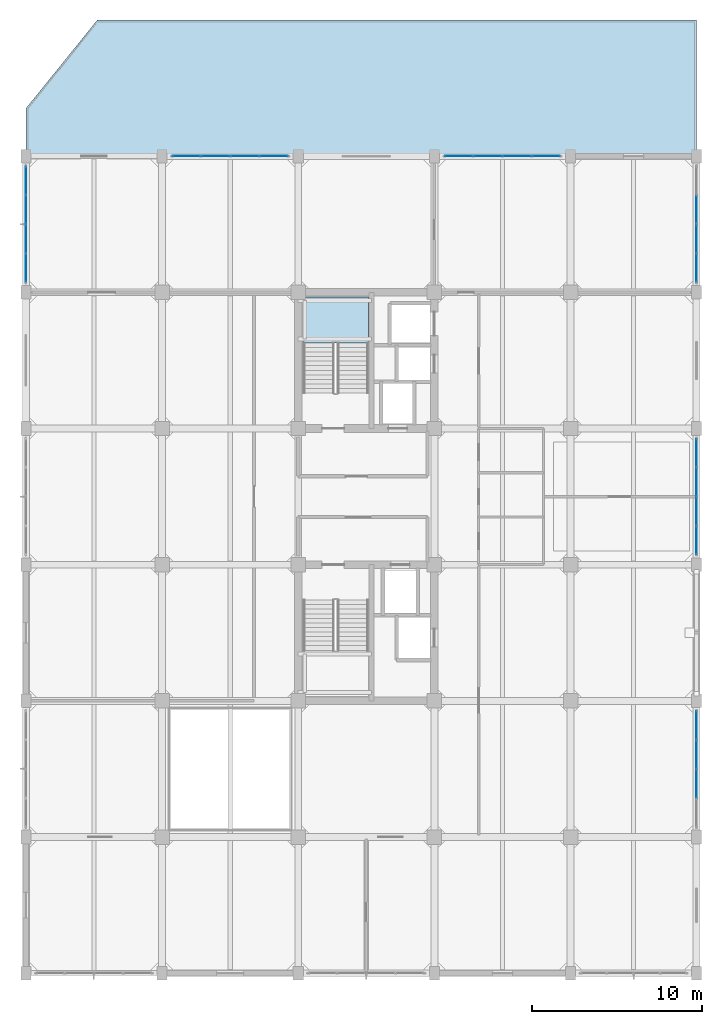
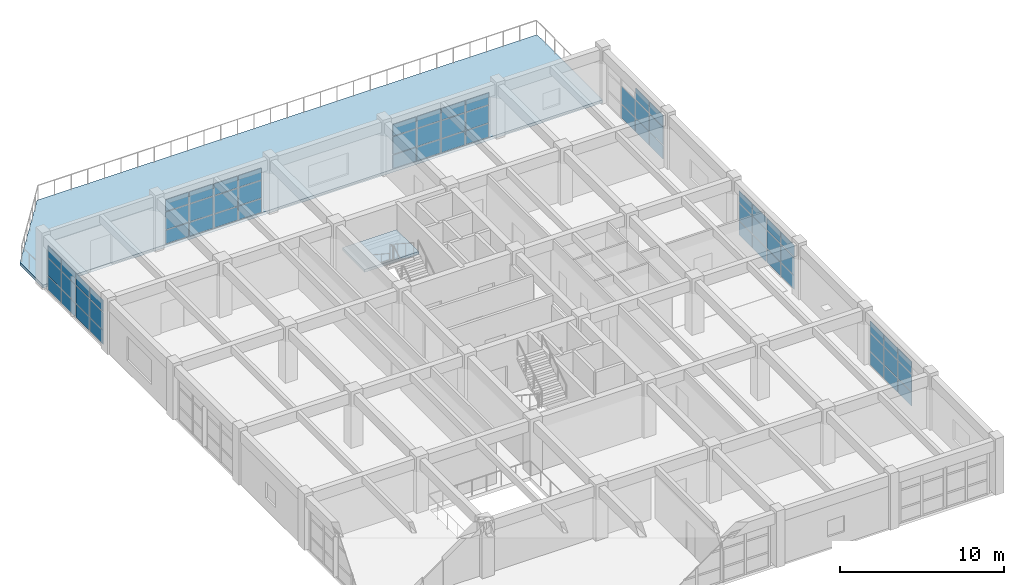
# One storey, part 23 of 30: 65 plates, 2 slabs, 7 elements without a shape of their own.
"""IFC4 building model written with IfcOpenShell, lengths in metres."""

from ifc_helpers import new_model, si_unit, direction, frame, origin, origin_2d, place, context, subcontext, project, spatial, polyline, rectangle, outline, extrude, material, layer, layer_set, type_object, element, aggregate, save


model = new_model("IFC4")

# Units and contexts
model_context = context("Model", 3, precision=1e-05, world=origin(), true_north=direction((0.0, 1.0)))
body_context = subcontext(model_context, "Body", "Model", "MODEL_VIEW")
ifc_project = project(units=[si_unit("LENGTHUNIT", "METRE"), si_unit("AREAUNIT", "SQUARE_METRE"), si_unit("VOLUMEUNIT", "CUBIC_METRE"), si_unit("PLANEANGLEUNIT", "RADIAN"), si_unit("MASSUNIT", "GRAM", prefix="KILO")], contexts=[model_context])

# Site, building, storey
site_placement = place(None, origin())
site = spatial("IfcSite", under=ifc_project, at=site_placement, CompositionType="ELEMENT")
building_placement = place(site_placement, origin())
building = spatial("IfcBuilding", under=site, at=building_placement, Name="Canggui Botanical Conservatory", CompositionType="ELEMENT")
storey_placement = place(building_placement, frame((0.0, 0.0, 19.199951171875)))
storey = spatial("IfcBuildingStorey", under=building, at=storey_placement, Name="L05", CompositionType="ELEMENT", Elevation=19.199951171875)

# Curtain wall, plates
ifc_material_1 = material(Name="Thermally Broken Aluminium", Category="aluminium")
ifc_layer_1 = layer(ifc_material_1, 0.1650390625, Name="Thermally Broken Aluminium", Category="aluminium")
ifc_layer_set_1 = layer_set([ifc_layer_1], Name="Thermally Broken Aluminium")
curtain_wall_type = type_object("IfcCurtainWallType", Name="CW-UNIT-B", PredefinedType="USERDEFINED", material=ifc_layer_set_1)
curtain_wall_1_placement = place(storey_placement, origin())
curtain_wall_1 = element("IfcCurtainWall", 1, at=curtain_wall_1_placement, inside=storey, type_object=curtain_wall_type, Name="Facade Curtain Wall CW-TWR-L05-11", ObjectType="UNITISED CURTAIN WALL", PredefinedType="USERDEFINED")
ifc_material_2 = material(Name="Low-E Insulated Glass", Category="glass")
ifc_layer_2 = layer(ifc_material_2, 0.030029296875, Name="Low-E Insulated Glass", Category="glass")
ifc_layer_set_2 = layer_set([ifc_layer_2], Name="Low-E Insulated Glass")
plate_type = type_object("IfcPlateType", Name="CWP-02", PredefinedType="CURTAIN_PANEL", material=ifc_layer_set_2)
plate_1_placement = place(storey_placement, frame((138.0, 67.436279296875, 0.06005859375), z_axis=(0.0, 0.0, 1.0), x_axis=(0.0, 1.0, 0.0)))
plate_1 = element("IfcPlate", 2, at=plate_1_placement, type_object=plate_type, Name="CW-02 panel 1.1", PredefinedType="CURTAIN_PANEL", context=body_context, shape_type="SweptSolid", body=[
    extrude(rectangle(XDim=1.62255859375, YDim=0.030029296875, at=origin_2d()), origin(), (0.0, 0.0, 1.0), 0.998046875),
])
plate_2_placement = place(storey_placement, frame((138.0, 67.436279296875, 1.1181640625), z_axis=(0.0, 0.0, 1.0), x_axis=(0.0, 1.0, 0.0)))
plate_2 = element("IfcPlate", 3, at=plate_2_placement, type_object=plate_type, Name="CW-02 panel 1.2", PredefinedType="CURTAIN_PANEL", context=body_context, shape_type="SweptSolid", body=[
    extrude(rectangle(XDim=1.62255859375, YDim=0.030029296875, at=origin_2d()), origin(), (0.0, 0.0, 1.0), 1.300048828125),
])
plate_3_placement = place(storey_placement, frame((138.0, 67.436279296875, 2.47802734375), z_axis=(0.0, 0.0, 1.0), x_axis=(0.0, 1.0, 0.0)))
plate_3 = element("IfcPlate", 4, at=plate_3_placement, type_object=plate_type, Name="CW-02 panel 1.3", PredefinedType="CURTAIN_PANEL", context=body_context, shape_type="SweptSolid", body=[
    extrude(rectangle(XDim=1.62255859375, YDim=0.030029296875, at=origin_2d()), origin(), (0.0, 0.0, 1.0), 0.862060546875),
])
plate_4_placement = place(storey_placement, frame((138.0, 69.139892578125, 0.06005859375), z_axis=(0.0, 0.0, 1.0), x_axis=(0.0, 1.0, 0.0)))
plate_4 = element("IfcPlate", 5, at=plate_4_placement, type_object=plate_type, Name="CW-02 panel 2.1", PredefinedType="CURTAIN_PANEL", context=body_context, shape_type="SweptSolid", body=[
    extrude(rectangle(XDim=1.655029296875, YDim=0.030029296875, at=origin_2d()), origin(), (0.0, 0.0, 1.0), 0.998046875),
])
plate_5_placement = place(storey_placement, frame((138.0, 69.139892578125, 1.1181640625), z_axis=(0.0, 0.0, 1.0), x_axis=(0.0, 1.0, 0.0)))
plate_5 = element("IfcPlate", 6, at=plate_5_placement, type_object=plate_type, Name="CW-02 panel 2.2", PredefinedType="CURTAIN_PANEL", context=body_context, shape_type="SweptSolid", body=[
    extrude(rectangle(XDim=1.655029296875, YDim=0.030029296875, at=origin_2d()), origin(), (0.0, 0.0, 1.0), 1.300048828125),
])
plate_6_placement = place(storey_placement, frame((138.0, 69.139892578125, 2.47802734375), z_axis=(0.0, 0.0, 1.0), x_axis=(0.0, 1.0, 0.0)))
plate_6 = element("IfcPlate", 7, at=plate_6_placement, type_object=plate_type, Name="CW-02 panel 2.3", PredefinedType="CURTAIN_PANEL", context=body_context, shape_type="SweptSolid", body=[
    extrude(rectangle(XDim=1.655029296875, YDim=0.030029296875, at=origin_2d()), origin(), (0.0, 0.0, 1.0), 0.862060546875),
])
plate_7_placement = place(storey_placement, frame((138.0, 70.860107421875, 0.06005859375), z_axis=(0.0, 0.0, 1.0), x_axis=(0.0, 1.0, 0.0)))
plate_7 = element("IfcPlate", 8, at=plate_7_placement, type_object=plate_type, Name="CW-02 panel 3.1", PredefinedType="CURTAIN_PANEL", context=body_context, shape_type="SweptSolid", body=[
    extrude(rectangle(XDim=1.655029296875, YDim=0.030029296875, at=origin_2d()), origin(), (0.0, 0.0, 1.0), 0.998046875),
])
plate_8_placement = place(storey_placement, frame((138.0, 70.860107421875, 1.1181640625), z_axis=(0.0, 0.0, 1.0), x_axis=(0.0, 1.0, 0.0)))
plate_8 = element("IfcPlate", 9, at=plate_8_placement, type_object=plate_type, Name="CW-02 panel 3.2", PredefinedType="CURTAIN_PANEL", context=body_context, shape_type="SweptSolid", body=[
    extrude(rectangle(XDim=1.655029296875, YDim=0.030029296875, at=origin_2d()), origin(), (0.0, 0.0, 1.0), 1.300048828125),
])
plate_9_placement = place(storey_placement, frame((138.0, 70.860107421875, 2.47802734375), z_axis=(0.0, 0.0, 1.0), x_axis=(0.0, 1.0, 0.0)))
plate_9 = element("IfcPlate", 10, at=plate_9_placement, type_object=plate_type, Name="CW-02 panel 3.3", PredefinedType="CURTAIN_PANEL", context=body_context, shape_type="SweptSolid", body=[
    extrude(rectangle(XDim=1.655029296875, YDim=0.030029296875, at=origin_2d()), origin(), (0.0, 0.0, 1.0), 0.862060546875),
])
plate_10_placement = place(storey_placement, frame((138.0, 72.563720703125, 0.06005859375), z_axis=(0.0, 0.0, 1.0), x_axis=(0.0, 1.0, 0.0)))
plate_10 = element("IfcPlate", 11, at=plate_10_placement, type_object=plate_type, Name="CW-02 panel 4.1", PredefinedType="CURTAIN_PANEL", context=body_context, shape_type="SweptSolid", body=[
    extrude(rectangle(XDim=1.62255859375, YDim=0.030029296875, at=origin_2d()), origin(), (0.0, 0.0, 1.0), 0.998046875),
])
plate_11_placement = place(storey_placement, frame((138.0, 72.563720703125, 1.1181640625), z_axis=(0.0, 0.0, 1.0), x_axis=(0.0, 1.0, 0.0)))
plate_11 = element("IfcPlate", 12, at=plate_11_placement, type_object=plate_type, Name="CW-02 panel 4.2", PredefinedType="CURTAIN_PANEL", context=body_context, shape_type="SweptSolid", body=[
    extrude(rectangle(XDim=1.62255859375, YDim=0.030029296875, at=origin_2d()), origin(), (0.0, 0.0, 1.0), 1.300048828125),
])
plate_12_placement = place(storey_placement, frame((138.0, 72.563720703125, 2.47802734375), z_axis=(0.0, 0.0, 1.0), x_axis=(0.0, 1.0, 0.0)))
plate_12 = element("IfcPlate", 13, at=plate_12_placement, type_object=plate_type, Name="CW-02 panel 4.3", PredefinedType="CURTAIN_PANEL", context=body_context, shape_type="SweptSolid", body=[
    extrude(rectangle(XDim=1.62255859375, YDim=0.030029296875, at=origin_2d()), origin(), (0.0, 0.0, 1.0), 0.862060546875),
])
aggregate(curtain_wall_1, [plate_1, plate_2, plate_3, plate_4, plate_5, plate_6, plate_7, plate_8, plate_9, plate_10, plate_11, plate_12])

curtain_wall_2_placement = place(storey_placement, origin())
curtain_wall_2 = element("IfcCurtainWall", 14, at=curtain_wall_2_placement, inside=storey, type_object=curtain_wall_type, Name="Facade Curtain Wall CW-TWR-L05-13", ObjectType="UNITISED CURTAIN WALL", PredefinedType="USERDEFINED")
plate_13_placement = place(storey_placement, frame((147.436279296875, 74.0, 0.06005859375), z_axis=(0.0, 0.0, 1.0), x_axis=(1.0, 0.0, 0.0)))
plate_13 = element("IfcPlate", 15, at=plate_13_placement, type_object=plate_type, Name="CW-02 panel 1.1", PredefinedType="CURTAIN_PANEL", context=body_context, shape_type="SweptSolid", body=[
    extrude(rectangle(XDim=1.62255859375, YDim=0.030029296875, at=origin_2d()), origin(), (0.0, 0.0, 1.0), 0.998046875),
])
plate_14_placement = place(storey_placement, frame((147.436279296875, 74.0, 1.1181640625), z_axis=(0.0, 0.0, 1.0), x_axis=(1.0, 0.0, 0.0)))
plate_14 = element("IfcPlate", 16, at=plate_14_placement, type_object=plate_type, Name="CW-02 panel 1.2", PredefinedType="CURTAIN_PANEL", context=body_context, shape_type="SweptSolid", body=[
    extrude(rectangle(XDim=1.62255859375, YDim=0.030029296875, at=origin_2d()), origin(), (0.0, 0.0, 1.0), 1.300048828125),
])
plate_15_placement = place(storey_placement, frame((147.436279296875, 74.0, 2.47802734375), z_axis=(0.0, 0.0, 1.0), x_axis=(1.0, 0.0, 0.0)))
plate_15 = element("IfcPlate", 17, at=plate_15_placement, type_object=plate_type, Name="CW-02 panel 1.3", PredefinedType="CURTAIN_PANEL", context=body_context, shape_type="SweptSolid", body=[
    extrude(rectangle(XDim=1.62255859375, YDim=0.030029296875, at=origin_2d()), origin(), (0.0, 0.0, 1.0), 0.862060546875),
])
plate_16_placement = place(storey_placement, frame((149.139892578125, 74.0, 0.06005859375), z_axis=(0.0, 0.0, 1.0), x_axis=(1.0, 0.0, 0.0)))
plate_16 = element("IfcPlate", 18, at=plate_16_placement, type_object=plate_type, Name="CW-02 panel 2.1", PredefinedType="CURTAIN_PANEL", context=body_context, shape_type="SweptSolid", body=[
    extrude(rectangle(XDim=1.655029296875, YDim=0.030029296875, at=origin_2d()), origin(), (0.0, 0.0, 1.0), 0.998046875),
])
plate_17_placement = place(storey_placement, frame((149.139892578125, 74.0, 1.1181640625), z_axis=(0.0, 0.0, 1.0), x_axis=(1.0, 0.0, 0.0)))
plate_17 = element("IfcPlate", 19, at=plate_17_placement, type_object=plate_type, Name="CW-02 panel 2.2", PredefinedType="CURTAIN_PANEL", context=body_context, shape_type="SweptSolid", body=[
    extrude(rectangle(XDim=1.655029296875, YDim=0.030029296875, at=origin_2d()), origin(), (0.0, 0.0, 1.0), 1.300048828125),
])
plate_18_placement = place(storey_placement, frame((149.139892578125, 74.0, 2.47802734375), z_axis=(0.0, 0.0, 1.0), x_axis=(1.0, 0.0, 0.0)))
plate_18 = element("IfcPlate", 20, at=plate_18_placement, type_object=plate_type, Name="CW-02 panel 2.3", PredefinedType="CURTAIN_PANEL", context=body_context, shape_type="SweptSolid", body=[
    extrude(rectangle(XDim=1.655029296875, YDim=0.030029296875, at=origin_2d()), origin(), (0.0, 0.0, 1.0), 0.862060546875),
])
plate_19_placement = place(storey_placement, frame((150.860107421875, 74.0, 0.06005859375), z_axis=(0.0, 0.0, 1.0), x_axis=(1.0, 0.0, 0.0)))
plate_19 = element("IfcPlate", 21, at=plate_19_placement, type_object=plate_type, Name="CW-02 panel 3.1", PredefinedType="CURTAIN_PANEL", context=body_context, shape_type="SweptSolid", body=[
    extrude(rectangle(XDim=1.655029296875, YDim=0.030029296875, at=origin_2d()), origin(), (0.0, 0.0, 1.0), 0.998046875),
])
plate_20_placement = place(storey_placement, frame((150.860107421875, 74.0, 1.1181640625), z_axis=(0.0, 0.0, 1.0), x_axis=(1.0, 0.0, 0.0)))
plate_20 = element("IfcPlate", 22, at=plate_20_placement, type_object=plate_type, Name="CW-02 panel 3.2", PredefinedType="CURTAIN_PANEL", context=body_context, shape_type="SweptSolid", body=[
    extrude(rectangle(XDim=1.655029296875, YDim=0.030029296875, at=origin_2d()), origin(), (0.0, 0.0, 1.0), 1.300048828125),
])
plate_21_placement = place(storey_placement, frame((150.860107421875, 74.0, 2.47802734375), z_axis=(0.0, 0.0, 1.0), x_axis=(1.0, 0.0, 0.0)))
plate_21 = element("IfcPlate", 23, at=plate_21_placement, type_object=plate_type, Name="CW-02 panel 3.3", PredefinedType="CURTAIN_PANEL", context=body_context, shape_type="SweptSolid", body=[
    extrude(rectangle(XDim=1.655029296875, YDim=0.030029296875, at=origin_2d()), origin(), (0.0, 0.0, 1.0), 0.862060546875),
])
plate_22_placement = place(storey_placement, frame((152.563720703125, 74.0, 0.06005859375), z_axis=(0.0, 0.0, 1.0), x_axis=(1.0, 0.0, 0.0)))
plate_22 = element("IfcPlate", 24, at=plate_22_placement, type_object=plate_type, Name="CW-02 panel 4.1", PredefinedType="CURTAIN_PANEL", context=body_context, shape_type="SweptSolid", body=[
    extrude(rectangle(XDim=1.62255859375, YDim=0.030029296875, at=origin_2d()), origin(), (0.0, 0.0, 1.0), 0.998046875),
])
plate_23_placement = place(storey_placement, frame((152.563720703125, 74.0, 1.1181640625), z_axis=(0.0, 0.0, 1.0), x_axis=(1.0, 0.0, 0.0)))
plate_23 = element("IfcPlate", 25, at=plate_23_placement, type_object=plate_type, Name="CW-02 panel 4.2", PredefinedType="CURTAIN_PANEL", context=body_context, shape_type="SweptSolid", body=[
    extrude(rectangle(XDim=1.62255859375, YDim=0.030029296875, at=origin_2d()), origin(), (0.0, 0.0, 1.0), 1.300048828125),
])
plate_24_placement = place(storey_placement, frame((152.563720703125, 74.0, 2.47802734375), z_axis=(0.0, 0.0, 1.0), x_axis=(1.0, 0.0, 0.0)))
plate_24 = element("IfcPlate", 26, at=plate_24_placement, type_object=plate_type, Name="CW-02 panel 4.3", PredefinedType="CURTAIN_PANEL", context=body_context, shape_type="SweptSolid", body=[
    extrude(rectangle(XDim=1.62255859375, YDim=0.030029296875, at=origin_2d()), origin(), (0.0, 0.0, 1.0), 0.862060546875),
])
aggregate(curtain_wall_2, [plate_13, plate_14, plate_15, plate_16, plate_17, plate_18, plate_19, plate_20, plate_21, plate_22, plate_23, plate_24])

curtain_wall_3_placement = place(storey_placement, origin())
curtain_wall_3 = element("IfcCurtainWall", 27, at=curtain_wall_3_placement, inside=storey, type_object=curtain_wall_type, Name="Facade Curtain Wall CW-TWR-L05-15", ObjectType="UNITISED CURTAIN WALL", PredefinedType="USERDEFINED")
plate_25_placement = place(storey_placement, frame((163.436279296875, 74.0, 0.06005859375), z_axis=(0.0, 0.0, 1.0), x_axis=(1.0, 0.0, 0.0)))
plate_25 = element("IfcPlate", 28, at=plate_25_placement, type_object=plate_type, Name="CW-02 panel 1.1", PredefinedType="CURTAIN_PANEL", context=body_context, shape_type="SweptSolid", body=[
    extrude(rectangle(XDim=1.62255859375, YDim=0.030029296875, at=origin_2d()), origin(), (0.0, 0.0, 1.0), 0.998046875),
])
plate_26_placement = place(storey_placement, frame((163.436279296875, 74.0, 1.1181640625), z_axis=(0.0, 0.0, 1.0), x_axis=(1.0, 0.0, 0.0)))
plate_26 = element("IfcPlate", 29, at=plate_26_placement, type_object=plate_type, Name="CW-02 panel 1.2", PredefinedType="CURTAIN_PANEL", context=body_context, shape_type="SweptSolid", body=[
    extrude(rectangle(XDim=1.62255859375, YDim=0.030029296875, at=origin_2d()), origin(), (0.0, 0.0, 1.0), 1.300048828125),
])
plate_27_placement = place(storey_placement, frame((163.436279296875, 74.0, 2.47802734375), z_axis=(0.0, 0.0, 1.0), x_axis=(1.0, 0.0, 0.0)))
plate_27 = element("IfcPlate", 30, at=plate_27_placement, type_object=plate_type, Name="CW-02 panel 1.3", PredefinedType="CURTAIN_PANEL", context=body_context, shape_type="SweptSolid", body=[
    extrude(rectangle(XDim=1.62255859375, YDim=0.030029296875, at=origin_2d()), origin(), (0.0, 0.0, 1.0), 0.862060546875),
])
plate_28_placement = place(storey_placement, frame((165.139892578125, 74.0, 0.06005859375), z_axis=(0.0, 0.0, 1.0), x_axis=(1.0, 0.0, 0.0)))
plate_28 = element("IfcPlate", 31, at=plate_28_placement, type_object=plate_type, Name="CW-02 panel 2.1", PredefinedType="CURTAIN_PANEL", context=body_context, shape_type="SweptSolid", body=[
    extrude(rectangle(XDim=1.655029296875, YDim=0.030029296875, at=origin_2d()), origin(), (0.0, 0.0, 1.0), 0.998046875),
])
plate_29_placement = place(storey_placement, frame((165.139892578125, 74.0, 1.1181640625), z_axis=(0.0, 0.0, 1.0), x_axis=(1.0, 0.0, 0.0)))
plate_29 = element("IfcPlate", 32, at=plate_29_placement, type_object=plate_type, Name="CW-02 panel 2.2", PredefinedType="CURTAIN_PANEL", context=body_context, shape_type="SweptSolid", body=[
    extrude(rectangle(XDim=1.655029296875, YDim=0.030029296875, at=origin_2d()), origin(), (0.0, 0.0, 1.0), 1.300048828125),
])
plate_30_placement = place(storey_placement, frame((165.139892578125, 74.0, 2.47802734375), z_axis=(0.0, 0.0, 1.0), x_axis=(1.0, 0.0, 0.0)))
plate_30 = element("IfcPlate", 33, at=plate_30_placement, type_object=plate_type, Name="CW-02 panel 2.3", PredefinedType="CURTAIN_PANEL", context=body_context, shape_type="SweptSolid", body=[
    extrude(rectangle(XDim=1.655029296875, YDim=0.030029296875, at=origin_2d()), origin(), (0.0, 0.0, 1.0), 0.862060546875),
])
plate_31_placement = place(storey_placement, frame((166.860107421875, 74.0, 0.06005859375), z_axis=(0.0, 0.0, 1.0), x_axis=(1.0, 0.0, 0.0)))
plate_31 = element("IfcPlate", 34, at=plate_31_placement, type_object=plate_type, Name="CW-02 panel 3.1", PredefinedType="CURTAIN_PANEL", context=body_context, shape_type="SweptSolid", body=[
    extrude(rectangle(XDim=1.655029296875, YDim=0.030029296875, at=origin_2d()), origin(), (0.0, 0.0, 1.0), 0.998046875),
])
plate_32_placement = place(storey_placement, frame((166.860107421875, 74.0, 1.1181640625), z_axis=(0.0, 0.0, 1.0), x_axis=(1.0, 0.0, 0.0)))
plate_32 = element("IfcPlate", 35, at=plate_32_placement, type_object=plate_type, Name="CW-02 panel 3.2", PredefinedType="CURTAIN_PANEL", context=body_context, shape_type="SweptSolid", body=[
    extrude(rectangle(XDim=1.655029296875, YDim=0.030029296875, at=origin_2d()), origin(), (0.0, 0.0, 1.0), 1.300048828125),
])
plate_33_placement = place(storey_placement, frame((166.860107421875, 74.0, 2.47802734375), z_axis=(0.0, 0.0, 1.0), x_axis=(1.0, 0.0, 0.0)))
plate_33 = element("IfcPlate", 36, at=plate_33_placement, type_object=plate_type, Name="CW-02 panel 3.3", PredefinedType="CURTAIN_PANEL", context=body_context, shape_type="SweptSolid", body=[
    extrude(rectangle(XDim=1.655029296875, YDim=0.030029296875, at=origin_2d()), origin(), (0.0, 0.0, 1.0), 0.862060546875),
])
plate_34_placement = place(storey_placement, frame((168.563720703125, 74.0, 0.06005859375), z_axis=(0.0, 0.0, 1.0), x_axis=(1.0, 0.0, 0.0)))
plate_34 = element("IfcPlate", 37, at=plate_34_placement, type_object=plate_type, Name="CW-02 panel 4.1", PredefinedType="CURTAIN_PANEL", context=body_context, shape_type="SweptSolid", body=[
    extrude(rectangle(XDim=1.62255859375, YDim=0.030029296875, at=origin_2d()), origin(), (0.0, 0.0, 1.0), 0.998046875),
])
plate_35_placement = place(storey_placement, frame((168.563720703125, 74.0, 1.1181640625), z_axis=(0.0, 0.0, 1.0), x_axis=(1.0, 0.0, 0.0)))
plate_35 = element("IfcPlate", 38, at=plate_35_placement, type_object=plate_type, Name="CW-02 panel 4.2", PredefinedType="CURTAIN_PANEL", context=body_context, shape_type="SweptSolid", body=[
    extrude(rectangle(XDim=1.62255859375, YDim=0.030029296875, at=origin_2d()), origin(), (0.0, 0.0, 1.0), 1.300048828125),
])
plate_36_placement = place(storey_placement, frame((168.563720703125, 74.0, 2.47802734375), z_axis=(0.0, 0.0, 1.0), x_axis=(1.0, 0.0, 0.0)))
plate_36 = element("IfcPlate", 39, at=plate_36_placement, type_object=plate_type, Name="CW-02 panel 4.3", PredefinedType="CURTAIN_PANEL", context=body_context, shape_type="SweptSolid", body=[
    extrude(rectangle(XDim=1.62255859375, YDim=0.030029296875, at=origin_2d()), origin(), (0.0, 0.0, 1.0), 0.862060546875),
])
aggregate(curtain_wall_3, [plate_25, plate_26, plate_27, plate_28, plate_29, plate_30, plate_31, plate_32, plate_33, plate_34, plate_35, plate_36])

curtain_wall_4_placement = place(storey_placement, origin())
curtain_wall_4 = element("IfcCurtainWall", 40, at=curtain_wall_4_placement, inside=storey, type_object=curtain_wall_type, Name="Facade Curtain Wall CW-TWR-L05-17", ObjectType="UNITISED CURTAIN WALL", PredefinedType="USERDEFINED")
plate_37_placement = place(storey_placement, frame((177.39990234375, 70.860107421875, 0.06005859375), z_axis=(0.0, 0.0, 1.0), x_axis=(0.0, -1.0, 0.0)))
plate_37 = element("IfcPlate", 41, at=plate_37_placement, type_object=plate_type, Name="CW-02 panel 2.1", PredefinedType="CURTAIN_PANEL", context=body_context, shape_type="SweptSolid", body=[
    extrude(rectangle(XDim=1.655029296875, YDim=0.030029296875, at=origin_2d()), origin(), (0.0, 0.0, 1.0), 0.998046875),
])
plate_38_placement = place(storey_placement, frame((177.39990234375, 70.860107421875, 1.1181640625), z_axis=(0.0, 0.0, 1.0), x_axis=(0.0, -1.0, 0.0)))
plate_38 = element("IfcPlate", 42, at=plate_38_placement, type_object=plate_type, Name="CW-02 panel 2.2", PredefinedType="CURTAIN_PANEL", context=body_context, shape_type="SweptSolid", body=[
    extrude(rectangle(XDim=1.655029296875, YDim=0.030029296875, at=origin_2d()), origin(), (0.0, 0.0, 1.0), 1.300048828125),
])
plate_39_placement = place(storey_placement, frame((177.39990234375, 69.139892578125, 0.06005859375), z_axis=(0.0, 0.0, 1.0), x_axis=(0.0, -1.0, 0.0)))
plate_39 = element("IfcPlate", 43, at=plate_39_placement, type_object=plate_type, Name="CW-02 panel 3.1", PredefinedType="CURTAIN_PANEL", context=body_context, shape_type="SweptSolid", body=[
    extrude(rectangle(XDim=1.655029296875, YDim=0.030029296875, at=origin_2d()), origin(), (0.0, 0.0, 1.0), 0.998046875),
])
plate_40_placement = place(storey_placement, frame((177.39990234375, 69.139892578125, 1.1181640625), z_axis=(0.0, 0.0, 1.0), x_axis=(0.0, -1.0, 0.0)))
plate_40 = element("IfcPlate", 44, at=plate_40_placement, type_object=plate_type, Name="CW-02 panel 3.2", PredefinedType="CURTAIN_PANEL", context=body_context, shape_type="SweptSolid", body=[
    extrude(rectangle(XDim=1.655029296875, YDim=0.030029296875, at=origin_2d()), origin(), (0.0, 0.0, 1.0), 1.300048828125),
])
plate_41_placement = place(storey_placement, frame((177.39990234375, 69.139892578125, 2.47802734375), z_axis=(0.0, 0.0, 1.0), x_axis=(0.0, -1.0, 0.0)))
plate_41 = element("IfcPlate", 45, at=plate_41_placement, type_object=plate_type, Name="CW-02 panel 3.3", PredefinedType="CURTAIN_PANEL", context=body_context, shape_type="SweptSolid", body=[
    extrude(rectangle(XDim=1.655029296875, YDim=0.030029296875, at=origin_2d()), origin(), (0.0, 0.0, 1.0), 0.862060546875),
])
plate_42_placement = place(storey_placement, frame((177.39990234375, 67.436279296875, 0.06005859375), z_axis=(0.0, 0.0, 1.0), x_axis=(0.0, -1.0, 0.0)))
plate_42 = element("IfcPlate", 46, at=plate_42_placement, type_object=plate_type, Name="CW-02 panel 4.1", PredefinedType="CURTAIN_PANEL", context=body_context, shape_type="SweptSolid", body=[
    extrude(rectangle(XDim=1.62255859375, YDim=0.030029296875, at=origin_2d()), origin(), (0.0, 0.0, 1.0), 0.998046875),
])
plate_43_placement = place(storey_placement, frame((177.39990234375, 67.436279296875, 1.1181640625), z_axis=(0.0, 0.0, 1.0), x_axis=(0.0, -1.0, 0.0)))
plate_43 = element("IfcPlate", 47, at=plate_43_placement, type_object=plate_type, Name="CW-02 panel 4.2", PredefinedType="CURTAIN_PANEL", context=body_context, shape_type="SweptSolid", body=[
    extrude(rectangle(XDim=1.62255859375, YDim=0.030029296875, at=origin_2d()), origin(), (0.0, 0.0, 1.0), 1.300048828125),
])
plate_44_placement = place(storey_placement, frame((177.39990234375, 67.436279296875, 2.47802734375), z_axis=(0.0, 0.0, 1.0), x_axis=(0.0, -1.0, 0.0)))
plate_44 = element("IfcPlate", 48, at=plate_44_placement, type_object=plate_type, Name="CW-02 panel 4.3", PredefinedType="CURTAIN_PANEL", context=body_context, shape_type="SweptSolid", body=[
    extrude(rectangle(XDim=1.62255859375, YDim=0.030029296875, at=origin_2d()), origin(), (0.0, 0.0, 1.0), 0.862060546875),
])
aggregate(curtain_wall_4, [plate_37, plate_38, plate_39, plate_40, plate_41, plate_42, plate_43, plate_44])

curtain_wall_5_placement = place(storey_placement, origin())
curtain_wall_5 = element("IfcCurtainWall", 49, at=curtain_wall_5_placement, inside=storey, type_object=curtain_wall_type, Name="Facade Curtain Wall CW-TWR-L05-19", ObjectType="UNITISED CURTAIN WALL", PredefinedType="USERDEFINED")
plate_45_placement = place(storey_placement, frame((177.39990234375, 56.563720703125, 0.06005859375), z_axis=(0.0, 0.0, 1.0), x_axis=(0.0, -1.0, 0.0)))
plate_45 = element("IfcPlate", 50, at=plate_45_placement, type_object=plate_type, Name="CW-02 panel 1.1", PredefinedType="CURTAIN_PANEL", context=body_context, shape_type="SweptSolid", body=[
    extrude(rectangle(XDim=1.62255859375, YDim=0.030029296875, at=origin_2d()), origin(), (0.0, 0.0, 1.0), 0.998046875),
])
plate_46_placement = place(storey_placement, frame((177.39990234375, 56.563720703125, 1.1181640625), z_axis=(0.0, 0.0, 1.0), x_axis=(0.0, -1.0, 0.0)))
plate_46 = element("IfcPlate", 51, at=plate_46_placement, type_object=plate_type, Name="CW-02 panel 1.2", PredefinedType="CURTAIN_PANEL", context=body_context, shape_type="SweptSolid", body=[
    extrude(rectangle(XDim=1.62255859375, YDim=0.030029296875, at=origin_2d()), origin(), (0.0, 0.0, 1.0), 1.300048828125),
])
plate_47_placement = place(storey_placement, frame((177.39990234375, 56.563720703125, 2.47802734375), z_axis=(0.0, 0.0, 1.0), x_axis=(0.0, -1.0, 0.0)))
plate_47 = element("IfcPlate", 52, at=plate_47_placement, type_object=plate_type, Name="CW-02 panel 1.3", PredefinedType="CURTAIN_PANEL", context=body_context, shape_type="SweptSolid", body=[
    extrude(rectangle(XDim=1.62255859375, YDim=0.030029296875, at=origin_2d()), origin(), (0.0, 0.0, 1.0), 0.862060546875),
])
plate_48_placement = place(storey_placement, frame((177.39990234375, 54.860107421875, 0.06005859375), z_axis=(0.0, 0.0, 1.0), x_axis=(0.0, -1.0, 0.0)))
plate_48 = element("IfcPlate", 53, at=plate_48_placement, type_object=plate_type, Name="CW-02 panel 2.1", PredefinedType="CURTAIN_PANEL", context=body_context, shape_type="SweptSolid", body=[
    extrude(rectangle(XDim=1.655029296875, YDim=0.030029296875, at=origin_2d()), origin(), (0.0, 0.0, 1.0), 0.998046875),
])
plate_49_placement = place(storey_placement, frame((177.39990234375, 54.860107421875, 1.1181640625), z_axis=(0.0, 0.0, 1.0), x_axis=(0.0, -1.0, 0.0)))
plate_49 = element("IfcPlate", 54, at=plate_49_placement, type_object=plate_type, Name="CW-02 panel 2.2", PredefinedType="CURTAIN_PANEL", context=body_context, shape_type="SweptSolid", body=[
    extrude(rectangle(XDim=1.655029296875, YDim=0.030029296875, at=origin_2d()), origin(), (0.0, 0.0, 1.0), 1.300048828125),
])
plate_50_placement = place(storey_placement, frame((177.39990234375, 54.860107421875, 2.47802734375), z_axis=(0.0, 0.0, 1.0), x_axis=(0.0, -1.0, 0.0)))
plate_50 = element("IfcPlate", 55, at=plate_50_placement, type_object=plate_type, Name="CW-02 panel 2.3", PredefinedType="CURTAIN_PANEL", context=body_context, shape_type="SweptSolid", body=[
    extrude(rectangle(XDim=1.655029296875, YDim=0.030029296875, at=origin_2d()), origin(), (0.0, 0.0, 1.0), 0.862060546875),
])
plate_51_placement = place(storey_placement, frame((177.39990234375, 53.139892578125, 0.06005859375), z_axis=(0.0, 0.0, 1.0), x_axis=(0.0, -1.0, 0.0)))
plate_51 = element("IfcPlate", 56, at=plate_51_placement, type_object=plate_type, Name="CW-02 panel 3.1", PredefinedType="CURTAIN_PANEL", context=body_context, shape_type="SweptSolid", body=[
    extrude(rectangle(XDim=1.655029296875, YDim=0.030029296875, at=origin_2d()), origin(), (0.0, 0.0, 1.0), 0.998046875),
])
plate_52_placement = place(storey_placement, frame((177.39990234375, 53.139892578125, 1.1181640625), z_axis=(0.0, 0.0, 1.0), x_axis=(0.0, -1.0, 0.0)))
plate_52 = element("IfcPlate", 57, at=plate_52_placement, type_object=plate_type, Name="CW-02 panel 3.2", PredefinedType="CURTAIN_PANEL", context=body_context, shape_type="SweptSolid", body=[
    extrude(rectangle(XDim=1.655029296875, YDim=0.030029296875, at=origin_2d()), origin(), (0.0, 0.0, 1.0), 1.300048828125),
])
plate_53_placement = place(storey_placement, frame((177.39990234375, 53.139892578125, 2.47802734375), z_axis=(0.0, 0.0, 1.0), x_axis=(0.0, -1.0, 0.0)))
plate_53 = element("IfcPlate", 58, at=plate_53_placement, type_object=plate_type, Name="CW-02 panel 3.3", PredefinedType="CURTAIN_PANEL", context=body_context, shape_type="SweptSolid", body=[
    extrude(rectangle(XDim=1.655029296875, YDim=0.030029296875, at=origin_2d()), origin(), (0.0, 0.0, 1.0), 0.862060546875),
])
plate_54_placement = place(storey_placement, frame((177.39990234375, 51.436279296875, 0.06005859375), z_axis=(0.0, 0.0, 1.0), x_axis=(0.0, -1.0, 0.0)))
plate_54 = element("IfcPlate", 59, at=plate_54_placement, type_object=plate_type, Name="CW-02 panel 4.1", PredefinedType="CURTAIN_PANEL", context=body_context, shape_type="SweptSolid", body=[
    extrude(rectangle(XDim=1.62255859375, YDim=0.030029296875, at=origin_2d()), origin(), (0.0, 0.0, 1.0), 0.998046875),
])
plate_55_placement = place(storey_placement, frame((177.39990234375, 51.436279296875, 1.1181640625), z_axis=(0.0, 0.0, 1.0), x_axis=(0.0, -1.0, 0.0)))
plate_55 = element("IfcPlate", 60, at=plate_55_placement, type_object=plate_type, Name="CW-02 panel 4.2", PredefinedType="CURTAIN_PANEL", context=body_context, shape_type="SweptSolid", body=[
    extrude(rectangle(XDim=1.62255859375, YDim=0.030029296875, at=origin_2d()), origin(), (0.0, 0.0, 1.0), 1.300048828125),
])
plate_56_placement = place(storey_placement, frame((177.39990234375, 51.436279296875, 2.47802734375), z_axis=(0.0, 0.0, 1.0), x_axis=(0.0, -1.0, 0.0)))
plate_56 = element("IfcPlate", 61, at=plate_56_placement, type_object=plate_type, Name="CW-02 panel 4.3", PredefinedType="CURTAIN_PANEL", context=body_context, shape_type="SweptSolid", body=[
    extrude(rectangle(XDim=1.62255859375, YDim=0.030029296875, at=origin_2d()), origin(), (0.0, 0.0, 1.0), 0.862060546875),
])
aggregate(curtain_wall_5, [plate_45, plate_46, plate_47, plate_48, plate_49, plate_50, plate_51, plate_52, plate_53, plate_54, plate_55, plate_56])

curtain_wall_6_placement = place(storey_placement, origin())
curtain_wall_6 = element("IfcCurtainWall", 62, at=curtain_wall_6_placement, inside=storey, type_object=curtain_wall_type, Name="Facade Curtain Wall CW-TWR-L05-21", ObjectType="UNITISED CURTAIN WALL", PredefinedType="USERDEFINED")
plate_57_placement = place(storey_placement, frame((177.39990234375, 40.563720703125, 0.06005859375), z_axis=(0.0, 0.0, 1.0), x_axis=(0.0, -1.0, 0.0)))
plate_57 = element("IfcPlate", 63, at=plate_57_placement, type_object=plate_type, Name="CW-02 panel 1.1", PredefinedType="CURTAIN_PANEL", context=body_context, shape_type="SweptSolid", body=[
    extrude(rectangle(XDim=1.62255859375, YDim=0.030029296875, at=origin_2d()), origin(), (0.0, 0.0, 1.0), 0.998046875),
])
plate_58_placement = place(storey_placement, frame((177.39990234375, 40.563720703125, 1.1181640625), z_axis=(0.0, 0.0, 1.0), x_axis=(0.0, -1.0, 0.0)))
plate_58 = element("IfcPlate", 64, at=plate_58_placement, type_object=plate_type, Name="CW-02 panel 1.2", PredefinedType="CURTAIN_PANEL", context=body_context, shape_type="SweptSolid", body=[
    extrude(rectangle(XDim=1.62255859375, YDim=0.030029296875, at=origin_2d()), origin(), (0.0, 0.0, 1.0), 1.300048828125),
])
plate_59_placement = place(storey_placement, frame((177.39990234375, 40.563720703125, 2.47802734375), z_axis=(0.0, 0.0, 1.0), x_axis=(0.0, -1.0, 0.0)))
plate_59 = element("IfcPlate", 65, at=plate_59_placement, type_object=plate_type, Name="CW-02 panel 1.3", PredefinedType="CURTAIN_PANEL", context=body_context, shape_type="SweptSolid", body=[
    extrude(rectangle(XDim=1.62255859375, YDim=0.030029296875, at=origin_2d()), origin(), (0.0, 0.0, 1.0), 0.862060546875),
])
plate_60_placement = place(storey_placement, frame((177.39990234375, 38.860107421875, 0.06005859375), z_axis=(0.0, 0.0, 1.0), x_axis=(0.0, -1.0, 0.0)))
plate_60 = element("IfcPlate", 66, at=plate_60_placement, type_object=plate_type, Name="CW-02 panel 2.1", PredefinedType="CURTAIN_PANEL", context=body_context, shape_type="SweptSolid", body=[
    extrude(rectangle(XDim=1.655029296875, YDim=0.030029296875, at=origin_2d()), origin(), (0.0, 0.0, 1.0), 0.998046875),
])
plate_61_placement = place(storey_placement, frame((177.39990234375, 38.860107421875, 1.1181640625), z_axis=(0.0, 0.0, 1.0), x_axis=(0.0, -1.0, 0.0)))
plate_61 = element("IfcPlate", 67, at=plate_61_placement, type_object=plate_type, Name="CW-02 panel 2.2", PredefinedType="CURTAIN_PANEL", context=body_context, shape_type="SweptSolid", body=[
    extrude(rectangle(XDim=1.655029296875, YDim=0.030029296875, at=origin_2d()), origin(), (0.0, 0.0, 1.0), 1.300048828125),
])
plate_62_placement = place(storey_placement, frame((177.39990234375, 38.860107421875, 2.47802734375), z_axis=(0.0, 0.0, 1.0), x_axis=(0.0, -1.0, 0.0)))
plate_62 = element("IfcPlate", 68, at=plate_62_placement, type_object=plate_type, Name="CW-02 panel 2.3", PredefinedType="CURTAIN_PANEL", context=body_context, shape_type="SweptSolid", body=[
    extrude(rectangle(XDim=1.655029296875, YDim=0.030029296875, at=origin_2d()), origin(), (0.0, 0.0, 1.0), 0.862060546875),
])
plate_63_placement = place(storey_placement, frame((177.39990234375, 37.139892578125, 0.06005859375), z_axis=(0.0, 0.0, 1.0), x_axis=(0.0, -1.0, 0.0)))
plate_63 = element("IfcPlate", 69, at=plate_63_placement, type_object=plate_type, Name="CW-02 panel 3.1", PredefinedType="CURTAIN_PANEL", context=body_context, shape_type="SweptSolid", body=[
    extrude(rectangle(XDim=1.655029296875, YDim=0.030029296875, at=origin_2d()), origin(), (0.0, 0.0, 1.0), 0.998046875),
])
plate_64_placement = place(storey_placement, frame((177.39990234375, 37.139892578125, 1.1181640625), z_axis=(0.0, 0.0, 1.0), x_axis=(0.0, -1.0, 0.0)))
plate_64 = element("IfcPlate", 70, at=plate_64_placement, type_object=plate_type, Name="CW-02 panel 3.2", PredefinedType="CURTAIN_PANEL", context=body_context, shape_type="SweptSolid", body=[
    extrude(rectangle(XDim=1.655029296875, YDim=0.030029296875, at=origin_2d()), origin(), (0.0, 0.0, 1.0), 1.300048828125),
])
plate_65_placement = place(storey_placement, frame((177.39990234375, 37.139892578125, 2.47802734375), z_axis=(0.0, 0.0, 1.0), x_axis=(0.0, -1.0, 0.0)))
plate_65 = element("IfcPlate", 71, at=plate_65_placement, type_object=plate_type, Name="CW-02 panel 3.3", PredefinedType="CURTAIN_PANEL", context=body_context, shape_type="SweptSolid", body=[
    extrude(rectangle(XDim=1.655029296875, YDim=0.030029296875, at=origin_2d()), origin(), (0.0, 0.0, 1.0), 0.862060546875),
])
aggregate(curtain_wall_6, [plate_57, plate_58, plate_59, plate_60, plate_61, plate_62, plate_63, plate_64, plate_65])

# Slab
ifc_material_3 = material(Name="Concrete C35", Category="concrete")
ifc_layer_3 = layer(ifc_material_3, 0.219970703125, Name="Concrete C35", Category="concrete")
ifc_layer_set_3 = layer_set([ifc_layer_3], Name="Concrete C35")
slab_type_1 = type_object("IfcSlabType", Name="SLAB-F220", PredefinedType="FLOOR", material=ifc_layer_set_3)
slab_1_placement = place(storey_placement, frame((0.0, 0.0, -0.219970703125)))
element("IfcSlab", 72, at=slab_1_placement, inside=storey, type_object=slab_type_1, Name="Research Tower L05 Planted Sky Terrace Slab", PredefinedType="FLOOR", context=body_context, shape_type="SweptSolid", body=[
    extrude(outline(polyline([(138.0, 74.0), (177.39990234375, 74.0), (177.39990234375, 82.0), (142.199951171875, 82.0), (138.0, 76.800048828125), (138.0, 74.0)])), origin(), (0.0, 0.0, 1.0), 0.219970703125),
])

# Stair, slab
stair_type = type_object("IfcStairType", Name="STR-TYPE-6", PredefinedType="HALF_TURN_STAIR", material=ifc_material_3)
stair_placement = place(storey_placement, origin())
stair = element("IfcStair", 73, at=stair_placement, inside=storey, type_object=stair_type, Name="L05 Tower North Smoke-Proof Stair ST-T2", PredefinedType="HALF_TURN_STAIR")
ifc_layer_4 = layer(ifc_material_3, 0.199951171875, Name="Concrete C35", Category="concrete")
ifc_layer_set_4 = layer_set([ifc_layer_4], Name="Concrete C35")
slab_type_2 = type_object("IfcSlabType", Name="SLAB-LND-200", PredefinedType="LANDING", material=ifc_layer_set_4)
slab_2_placement = place(storey_placement, frame((0.0, 0.0, 1.900146484375)))
slab_2 = element("IfcSlab", 74, at=slab_2_placement, type_object=slab_type_2, Name="ST-T2 landing 1", PredefinedType="LANDING", context=body_context, shape_type="SweptSolid", body=[
    extrude(outline(polyline([(158.1201171875, 63.027587890625), (158.1201171875, 65.739990234375), (154.300048828125, 65.739990234375), (154.300048828125, 63.027587890625), (158.1201171875, 63.027587890625)])), origin(), (0.0, 0.0, 1.0), 0.199951171875),
])
aggregate(stair, [slab_2])

save(model, "model.ifc")
